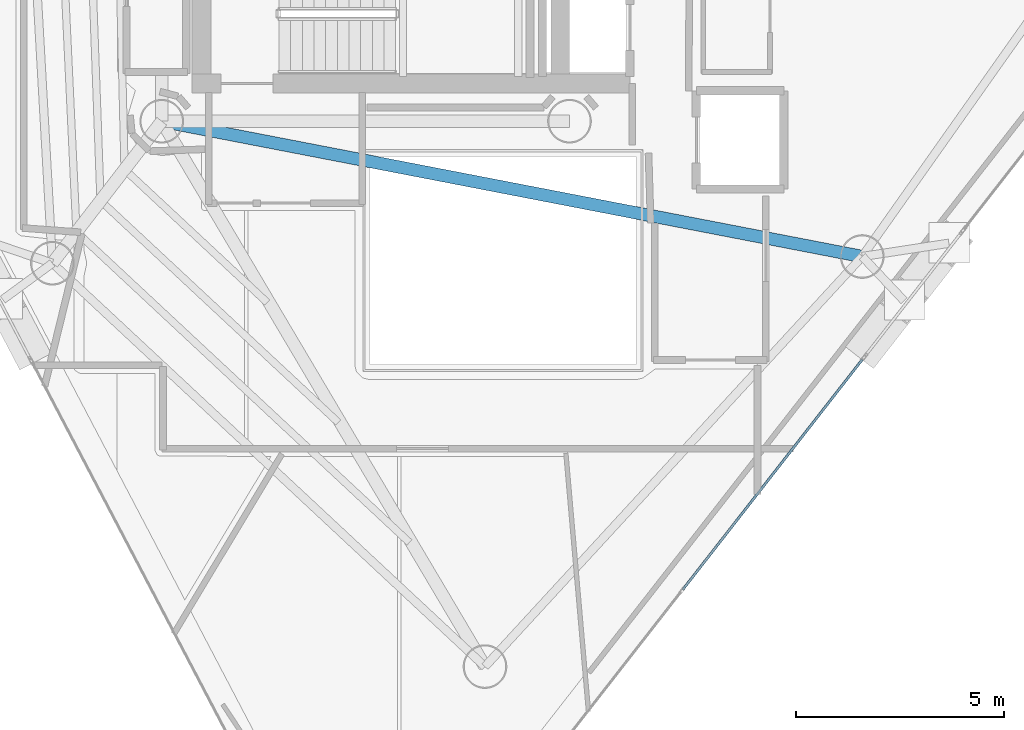
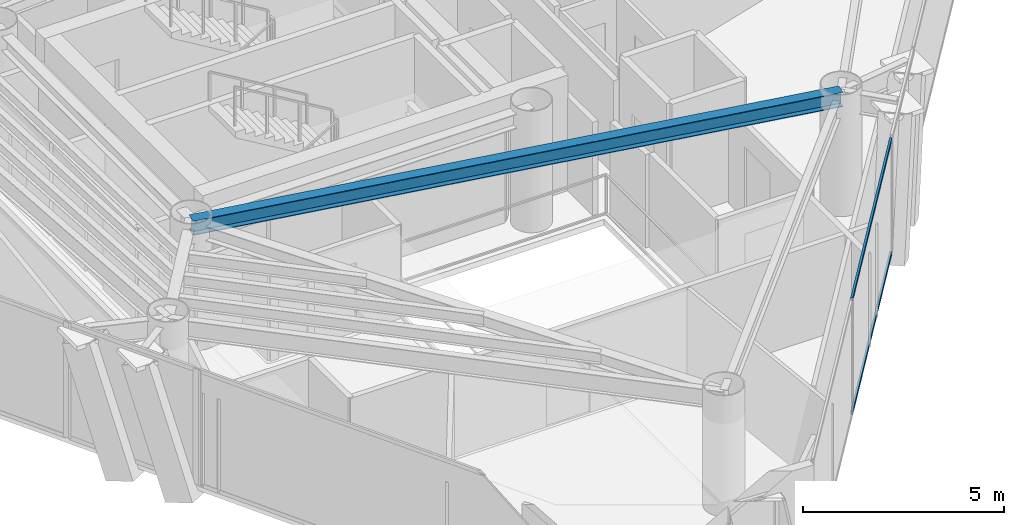
# One storey, part 5 of 18: 2 members, 1 beam, 1 element without a shape of its own.
"""IFC4 building model written with IfcOpenShell, lengths in metres."""

from ifc_helpers import new_model, si_unit, direction, frame, origin, origin_2d, place, context, subcontext, project, spatial, hollow_rectangle, i_section, extrude, material, layer, layer_set, material_profile, profile_set, type_object, element, aggregate, save


model = new_model("IFC4")

# Units and contexts
model_context = context("Model", 3, precision=1e-05, world=origin(), true_north=direction((0.0, 1.0)))
body_context = subcontext(model_context, "Body", "Model", "MODEL_VIEW")
ifc_project = project(units=[si_unit("LENGTHUNIT", "METRE"), si_unit("AREAUNIT", "SQUARE_METRE"), si_unit("VOLUMEUNIT", "CUBIC_METRE"), si_unit("PLANEANGLEUNIT", "RADIAN"), si_unit("MASSUNIT", "GRAM", prefix="KILO")], contexts=[model_context])

# Site, building, storey
site_placement = place(None, origin())
site = spatial("IfcSite", under=ifc_project, at=site_placement, CompositionType="ELEMENT")
building_placement = place(site_placement, origin())
building = spatial("IfcBuilding", under=site, at=building_placement, Name="Qianvela Tower", CompositionType="ELEMENT")
storey_placement = place(building_placement, frame((0.0, 0.0, 264.89990234375)))
storey = spatial("IfcBuildingStorey", under=building, at=storey_placement, Name="L68", CompositionType="ELEMENT", Elevation=264.89990234375)

# Beam
ifc_material_1 = material(Name="Steel Q355B", Category="steel")
ifc_material_profile_1 = material_profile(ifc_material_1, i_section(OverallWidth=0.300048828125, OverallDepth=0.43994140625, WebThickness=0.010986328125, FlangeThickness=0.01806640625, at=origin_2d()), Name="HM440x300x11x18")
ifc_profile_set_1 = profile_set([ifc_material_profile_1], Name="Steel Q355B")
beam_type = type_object("IfcBeamType", Name="BM-HM440-COLL", PredefinedType="BEAM", material=ifc_profile_set_1)
beam_placement = place(storey_placement, frame((28.60009765625, 23.85009765625, 3.298095703125), z_axis=(0.981849104236, -0.189663745904, 0.0), x_axis=(0.189663745904, 0.981849104236, 0.0)))
element("IfcBeam", 1, at=beam_placement, inside=storey, type_object=beam_type, Name="L68 Radial Primary Floor Girder 6", PredefinedType="BEAM", context=body_context, shape_type="SweptSolid", body=[
    extrude(i_section(OverallWidth=0.300048828125, OverallDepth=0.43994140625, WebThickness=0.010986328125, FlangeThickness=0.01806640625, at=origin_2d()), origin(), (0.0, 0.0, 1.0), 17.147216796875),
])

# Curtain wall, members
ifc_material_2 = material(Name="Anodised Architectural Aluminium and Low-E Glass", Category="aluminium")
ifc_layer = layer(ifc_material_2, 0.159912109375)
ifc_layer_set = layer_set([ifc_layer], Name="Anodised Architectural Aluminium and Low-E Glass")
curtain_wall_type = type_object("IfcCurtainWallType", Name="CW-COLIV-Z56", PredefinedType="USERDEFINED", material=ifc_layer_set)
curtain_wall_placement = place(storey_placement, origin())
curtain_wall = element("IfcCurtainWall", 2, at=curtain_wall_placement, inside=storey, type_object=curtain_wall_type, Name="L68 CW-COLIV-Z56 Curtain Wall 06A", ObjectType="CURTAIN_WALL_SYSTEM", PredefinedType="USERDEFINED")
ifc_material_3 = material(Name="Anodised Architectural Aluminium 6063-T6", Category="aluminium")
ifc_material_profile_2 = material_profile(ifc_material_3, hollow_rectangle(XDim=0.06005859375, YDim=0.114990234375, WallThickness=0.00390625, at=origin_2d()), Name="ALU-TRAN-60x115")
ifc_profile_set_2 = profile_set([ifc_material_profile_2], Name="Anodised Architectural Aluminium 6063-T6")
member_type = type_object("IfcMemberType", Name="CW-COLIV-Z56-TRAN", PredefinedType="USERDEFINED", material=ifc_profile_set_2)
member_1_placement = place(storey_placement, frame((41.120361328125, 12.588623046875, 0.030029296875), z_axis=(0.61519228216, 0.788377102642, 0.0), x_axis=(-0.788377102642, 0.61519228216, 0.0)))
member_1 = element("IfcMember", 3, at=member_1_placement, type_object=member_type, Name="CW-5 transom 2.1", ObjectType="TRANSOM", PredefinedType="USERDEFINED", context=body_context, shape_type="SweptSolid", body=[
    extrude(hollow_rectangle(XDim=0.06005859375, YDim=0.114990234375, WallThickness=0.00390625, at=origin_2d()), origin(), (0.0, 0.0, 1.0), 7.017578125),
])
member_2_placement = place(storey_placement, frame((41.120361328125, 12.588623046875, 3.489990234375), z_axis=(0.61519228216, 0.788377102642, 0.0), x_axis=(-0.788377102642, 0.61519228216, 0.0)))
member_2 = element("IfcMember", 4, at=member_2_placement, type_object=member_type, Name="CW-5 transom 2.2", ObjectType="TRANSOM", PredefinedType="USERDEFINED", context=body_context, shape_type="SweptSolid", body=[
    extrude(hollow_rectangle(XDim=0.06005859375, YDim=0.114990234375, WallThickness=0.00390625, at=origin_2d()), origin(), (0.0, 0.0, 1.0), 7.017578125),
])
aggregate(curtain_wall, [member_1, member_2])

save(model, "model.ifc")
